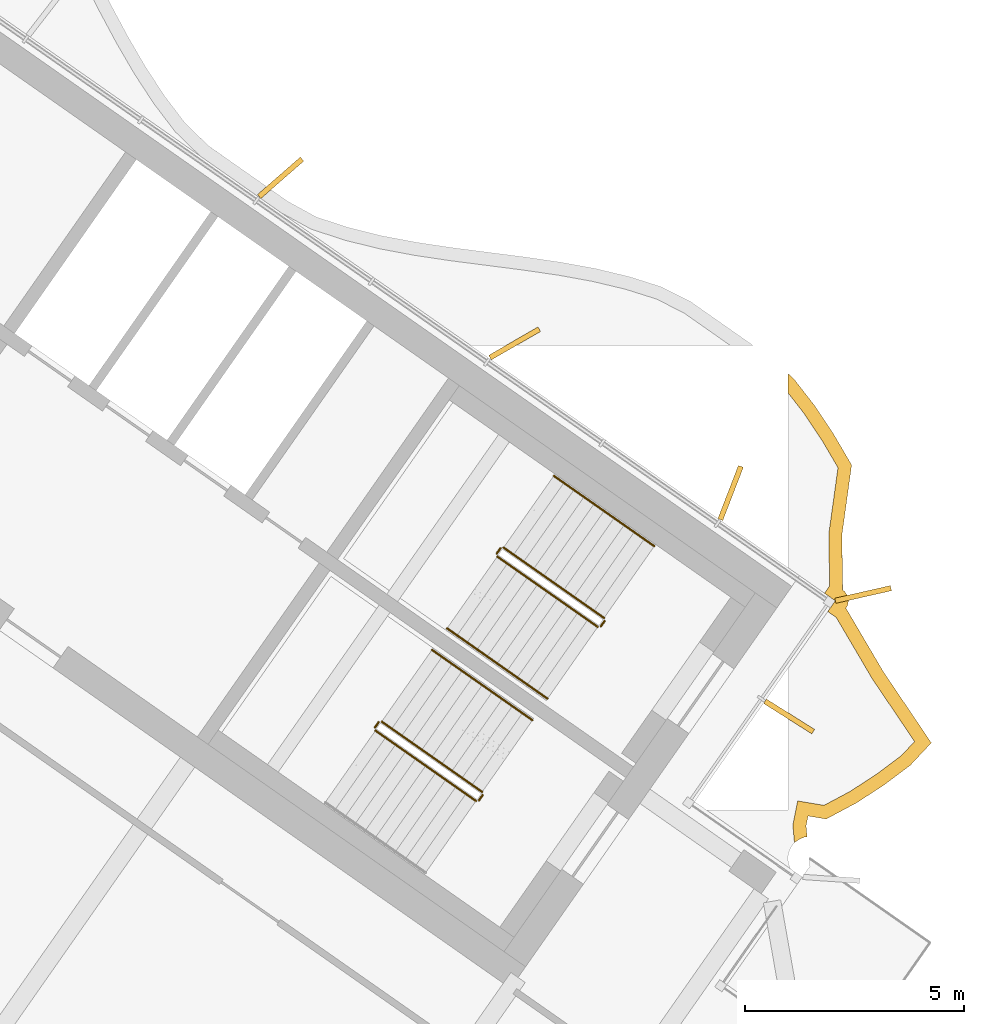
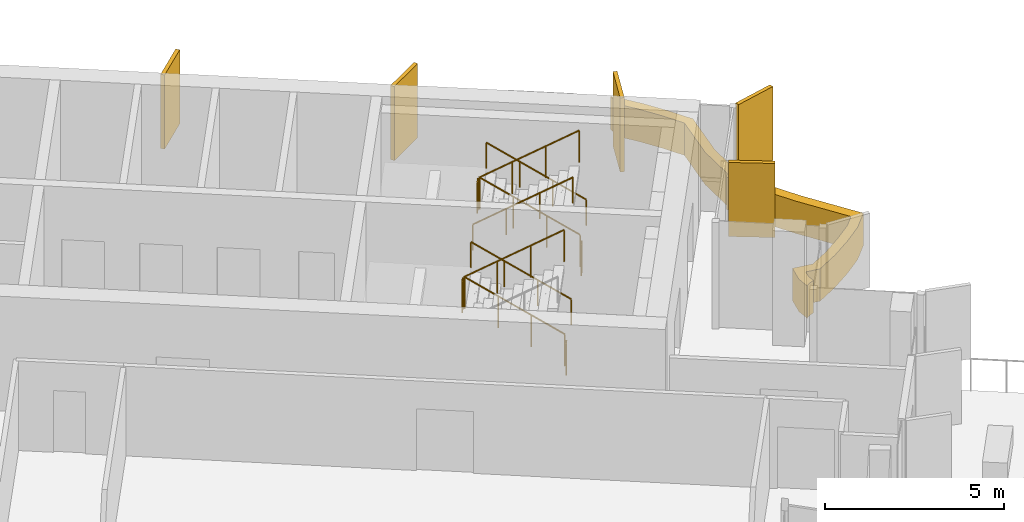
# One storey, part 16 of 18: 11 railings, 6 shading devices.
"""IFC4 building model written with IfcOpenShell, lengths in metres."""

from ifc_helpers import new_model, si_unit, direction, frame, origin, origin_2d, place, context, subcontext, project, spatial, polyline, rectangle, circle, outline, extrude, material, layer, layer_set, type_object, element, save


model = new_model("IFC4")

# Units and contexts
model_context = context("Model", 3, precision=1e-05, world=origin(), true_north=direction((0.0, 1.0)))
body_context = subcontext(model_context, "Body", "Model", "MODEL_VIEW")
ifc_project = project(units=[si_unit("LENGTHUNIT", "METRE"), si_unit("AREAUNIT", "SQUARE_METRE"), si_unit("VOLUMEUNIT", "CUBIC_METRE"), si_unit("PLANEANGLEUNIT", "RADIAN"), si_unit("MASSUNIT", "GRAM", prefix="KILO")], contexts=[model_context])

# Site, building, storey
site_placement = place(None, origin())
site = spatial("IfcSite", under=ifc_project, at=site_placement, CompositionType="ELEMENT")
building_placement = place(site_placement, origin())
building = spatial("IfcBuilding", under=site, at=building_placement, Name="Tel Ilan Convention Tower", CompositionType="ELEMENT")
storey_placement = place(building_placement, frame((0.0, 0.0, 272.199951171875)))
storey = spatial("IfcBuildingStorey", under=building, at=storey_placement, Name="L64", CompositionType="ELEMENT", Elevation=272.199951171875)

# Shading devices
ifc_material_1 = material(Name="Aluminium, bronze anodised", Category="aluminium")
ifc_layer_1 = layer(ifc_material_1, 0.1201171875)
ifc_layer_set_1 = layer_set([ifc_layer_1], Name="FIN BRONZE 1300x120")
shading_device_type_1 = type_object("IfcShadingDeviceType", Name="FIN BRONZE 1300x120", PredefinedType="USERDEFINED", material=ifc_layer_set_1)
for number, where, z_axis, x_axis, name in (
    (1, (27.904541015625, -10.1005859375, 1.10009765625), (0.0, 0.0, 1.0), (0.845986425922, -0.533204432798, 0.0), "FIN"),
    (2, (29.594970703125, -7.31494140625, 1.10009765625), (0.0, 0.0, 1.0), (0.975235208752, 0.221170268371, 0.0), "FIN"),
    (3, (26.568359375, -4.997802734375, 1.10009765625), (0.0, 0.0, 1.0), (0.360177724803, 0.932883704733, 0.0), "FIN"),
    (4, (21.63818359375, -1.58349609375, 1.10009765625), (0.0, 0.0, 1.0), (0.866025403784, 0.5, 0.0), "FIN"),
    (5, (16.29345703125, 2.196533203125, 1.10009765625), (0.0, 0.0, 1.0), (0.753435896329, 0.657521368568, 0.0), "FIN"),
):
    element("IfcShadingDevice", number, at=place(storey_placement, frame(where, z_axis=z_axis, x_axis=x_axis)), inside=storey, type_object=shading_device_type_1, Name=name, ObjectType="FIN", PredefinedType="USERDEFINED", context=body_context, shape_type="SweptSolid", body=[
        extrude(rectangle(XDim=1.300048828125, YDim=0.1201171875, at=origin_2d()), origin(), (0.0, 0.0, 1.0), 2.52001953125),
    ])
ifc_material_2 = material(Name="Aluminium, bronze anodised", Category="aluminium")
ifc_layer_2 = layer(ifc_material_2, 0.300048828125)
ifc_layer_set_2 = layer_set([ifc_layer_2], Name="LOUVRE BAND 300x1100")
shading_device_type_2 = type_object("IfcShadingDeviceType", Name="LOUVRE BAND 300x1100", PredefinedType="USERDEFINED", material=ifc_layer_set_2)
shading_device_placement = place(storey_placement, origin())
element("IfcShadingDevice", 6, at=shading_device_placement, inside=storey, type_object=shading_device_type_2, Name="LOUVRE BAND 49.01", ObjectType="LOUVRE", PredefinedType="USERDEFINED", context=body_context, shape_type="SweptSolid", body=[
    extrude(outline(polyline([(28.0107421875, -2.392822265625), (27.874755859375, -2.269287109375), (27.874755859375, -2.70654296875), (28.240234375, -3.176513671875), (28.66748046875, -3.818359375), (29.02001953125, -4.420654296875), (28.809326171875, -5.941162109375), (28.829345703125, -7.12109375), (28.713134765625, -7.286865234375), (28.958740234375, -7.458984375), (28.787353515625, -7.705322265625), (28.97900390625, -7.83935546875), (29.802734375, -9.2421875), (30.7685546875, -10.672607421875), (30.466552734375, -10.99462890625), (29.906005859375, -11.414794921875), (29.292236328125, -11.813720703125), (28.701171875, -12.12939453125), (28.099365234375, -12.0302734375), (27.989013671875, -12.579833984375), (28.026123046875, -12.986328125), (28.0712890625, -12.947265625), (28.15380859375, -12.894775390625), (28.2451171875, -12.859130859375), (28.314453125, -12.845458984375), (28.291748046875, -12.595947265625), (28.33642578125, -12.373291015625), (28.752685546875, -12.44189453125), (29.445068359375, -12.072265625), (30.077880859375, -11.660888671875), (30.66748046875, -11.218994140625), (31.151123046875, -10.703125), (30.056640625, -9.082275390625), (29.199951171875, -7.6279296875), (29.236083984375, -7.57373046875), (29.2587890625, -7.458984375), (29.236083984375, -7.34423828125), (29.1708984375, -7.246826171875), (29.127685546875, -7.218017578125), (29.10986328125, -5.95947265625), (29.331298828125, -4.35888671875), (28.922119140625, -3.659423828125), (28.48388671875, -3.001220703125), (28.0107421875, -2.392822265625)])), origin(), (0.0, 0.0, 1.0), 1.10009765625),
])

# Railings
ifc_material_3 = material(Name="Stainless Steel Grade 316", Category="steel")
railing_type_1 = type_object("IfcRailingType", Name="Stainless Steel Stair Guard 1100 mm", PredefinedType="GUARDRAIL", material=ifc_material_3)
railing_1_placement = place(storey_placement, frame((23.6787109375, -7.8515625, 0.17724609375)))
element("IfcRailing", 7, at=railing_1_placement, inside=storey, type_object=railing_type_1, Name="L64 S3 stair guard 1", PredefinedType="GUARDRAIL", context=body_context, shape_type="SweptSolid", body=[
    extrude(circle(Radius=0.02392578125, at=origin_2d()), frame((0.0, 0.0, 1.076171875), z_axis=(-0.692084706163, 0.484621375041, 0.534940073605), x_axis=(-0.573591086599, -0.819141785879, 0.0)), (0.0, 0.0, 1.0), 3.313720703125),
    extrude(circle(Radius=0.02099609375, at=origin_2d()), origin(), (0.0, 0.0, 1.0), 1.052001953125),
    extrude(circle(Radius=0.02099609375, at=origin_2d()), frame((-0.764404296875, 0.535400390625, 0.5908203125)), (0.0, 0.0, 1.0), 1.052001953125),
    extrude(circle(Radius=0.02099609375, at=origin_2d()), frame((-1.529052734375, 1.070556640625, 1.181884765625)), (0.0, 0.0, 1.0), 1.052001953125),
    extrude(circle(Radius=0.02099609375, at=origin_2d()), frame((-2.29345703125, 1.60595703125, 1.772705078125)), (0.0, 0.0, 1.0), 1.052001953125),
])
railing_2_placement = place(storey_placement, frame((21.3154296875, -6.2578125, 1.949951171875)))
element("IfcRailing", 8, at=railing_2_placement, inside=storey, type_object=railing_type_1, Name="L64 S3 stair guard 2", PredefinedType="GUARDRAIL", context=body_context, shape_type="SweptSolid", body=[
    extrude(circle(Radius=0.02392578125, at=origin_2d()), frame((0.0, 0.0, 1.076171875), z_axis=(-0.573353020881, -0.819308436089, 0.0), x_axis=(0.819308436089, -0.573353020881, 0.0)), (0.0, 0.0, 1.0), 0.14990234375),
    extrude(circle(Radius=0.02099609375, at=origin_2d()), origin(), (0.0, 0.0, 1.0), 1.052001953125),
    extrude(circle(Radius=0.02099609375, at=origin_2d()), frame((-0.0859375, -0.122802734375, 0.0)), (0.0, 0.0, 1.0), 1.052001953125),
])
railing_3_placement = place(storey_placement, frame((21.24169921875, -6.4501953125, 2.12744140625)))
element("IfcRailing", 9, at=railing_3_placement, inside=storey, type_object=railing_type_1, Name="L64 S3 stair guard 3", PredefinedType="GUARDRAIL", context=body_context, shape_type="SweptSolid", body=[
    extrude(circle(Radius=0.02392578125, at=origin_2d()), frame((0.0, 0.0, 1.076171875), z_axis=(0.692098378994, -0.484653031975, 0.534893701956), x_axis=(0.573608623498, 0.819129505664, 0.0)), (0.0, 0.0, 1.0), 3.314208984375),
    extrude(circle(Radius=0.02099609375, at=origin_2d()), origin(), (0.0, 0.0, 1.0), 1.052001953125),
    extrude(circle(Radius=0.02099609375, at=origin_2d()), frame((0.7646484375, -0.535400390625, 0.5908203125)), (0.0, 0.0, 1.0), 1.052001953125),
    extrude(circle(Radius=0.02099609375, at=origin_2d()), frame((1.529052734375, -1.07080078125, 1.181884765625)), (0.0, 0.0, 1.0), 1.052001953125),
    extrude(circle(Radius=0.02099609375, at=origin_2d()), frame((2.293701171875, -1.606201171875, 1.772705078125)), (0.0, 0.0, 1.0), 1.052001953125),
])
railing_4_placement = place(storey_placement, frame((23.691162109375, -7.921142578125, 0.0)))
element("IfcRailing", 10, at=railing_4_placement, inside=storey, type_object=railing_type_1, Name="L64 S3 stair guard 4", PredefinedType="GUARDRAIL", context=body_context, shape_type="SweptSolid", body=[
    extrude(circle(Radius=0.02392578125, at=origin_2d()), frame((0.0, 0.0, 1.076171875), z_axis=(-0.574444878118, -0.818543268254, 0.0), x_axis=(0.818543268254, -0.574444878118, 0.0)), (0.0, 0.0, 1.0), 0.150146484375),
    extrude(circle(Radius=0.02099609375, at=origin_2d()), origin(), (0.0, 0.0, 1.0), 1.052001953125),
    extrude(circle(Radius=0.02099609375, at=origin_2d()), frame((-0.086181640625, -0.122802734375, 0.0)), (0.0, 0.0, 1.0), 1.052001953125),
])
railing_5_placement = place(storey_placement, frame((20.89697265625, -11.824462890625, 0.17724609375)))
element("IfcRailing", 11, at=railing_5_placement, inside=storey, type_object=railing_type_1, Name="L64 S4 stair guard 1", PredefinedType="GUARDRAIL", context=body_context, shape_type="SweptSolid", body=[
    extrude(circle(Radius=0.02392578125, at=origin_2d()), frame((0.0, 0.0, 1.076171875), z_axis=(-0.692123088272, 0.484596665743, 0.534912798717), x_axis=(-0.573550118428, -0.819170471667, 0.0)), (0.0, 0.0, 1.0), 3.31396484375),
    extrude(circle(Radius=0.02099609375, at=origin_2d()), origin(), (0.0, 0.0, 1.0), 1.052001953125),
    extrude(circle(Radius=0.02099609375, at=origin_2d()), frame((-0.7646484375, 0.535400390625, 0.5908203125)), (0.0, 0.0, 1.0), 1.052001953125),
    extrude(circle(Radius=0.02099609375, at=origin_2d()), frame((-1.529052734375, 1.070556640625, 1.181884765625)), (0.0, 0.0, 1.0), 1.052001953125),
    extrude(circle(Radius=0.02099609375, at=origin_2d()), frame((-2.293701171875, 1.60595703125, 1.772705078125)), (0.0, 0.0, 1.0), 1.052001953125),
])
railing_6_placement = place(storey_placement, frame((18.53369140625, -10.230712890625, 1.949951171875)))
element("IfcRailing", 12, at=railing_6_placement, inside=storey, type_object=railing_type_1, Name="L64 S4 stair guard 2", PredefinedType="GUARDRAIL", context=body_context, shape_type="SweptSolid", body=[
    extrude(circle(Radius=0.02392578125, at=origin_2d()), frame((0.0, 0.0, 1.076171875), z_axis=(-0.573353020881, -0.819308436089, 0.0), x_axis=(0.819308436089, -0.573353020881, 0.0)), (0.0, 0.0, 1.0), 0.14990234375),
    extrude(circle(Radius=0.02099609375, at=origin_2d()), origin(), (0.0, 0.0, 1.0), 1.052001953125),
    extrude(circle(Radius=0.02099609375, at=origin_2d()), frame((-0.0859375, -0.122802734375, 0.0)), (0.0, 0.0, 1.0), 1.052001953125),
])
railing_7_placement = place(storey_placement, frame((18.4599609375, -10.423095703125, 2.12744140625)))
element("IfcRailing", 13, at=railing_7_placement, inside=storey, type_object=railing_type_1, Name="L64 S4 stair guard 3", PredefinedType="GUARDRAIL", context=body_context, shape_type="SweptSolid", body=[
    extrude(circle(Radius=0.02392578125, at=origin_2d()), frame((0.0, 0.0, 1.076171875), z_axis=(0.692098378994, -0.484653031975, 0.534893701956), x_axis=(0.573608623498, 0.819129505664, 0.0)), (0.0, 0.0, 1.0), 3.314208984375),
    extrude(circle(Radius=0.02099609375, at=origin_2d()), origin(), (0.0, 0.0, 1.0), 1.052001953125),
    extrude(circle(Radius=0.02099609375, at=origin_2d()), frame((0.7646484375, -0.535400390625, 0.5908203125)), (0.0, 0.0, 1.0), 1.052001953125),
    extrude(circle(Radius=0.02099609375, at=origin_2d()), frame((1.529052734375, -1.07080078125, 1.181884765625)), (0.0, 0.0, 1.0), 1.052001953125),
    extrude(circle(Radius=0.02099609375, at=origin_2d()), frame((2.293701171875, -1.606201171875, 1.772705078125)), (0.0, 0.0, 1.0), 1.052001953125),
])
railing_8_placement = place(storey_placement, frame((20.9091796875, -11.89404296875, 0.0)))
element("IfcRailing", 14, at=railing_8_placement, inside=storey, type_object=railing_type_1, Name="L64 S4 stair guard 4", PredefinedType="GUARDRAIL", context=body_context, shape_type="SweptSolid", body=[
    extrude(circle(Radius=0.02392578125, at=origin_2d()), frame((0.0, 0.0, 1.076171875), z_axis=(-0.573353020881, -0.819308436089, 0.0), x_axis=(0.819308436089, -0.573353020881, 0.0)), (0.0, 0.0, 1.0), 0.14990234375),
    extrude(circle(Radius=0.02099609375, at=origin_2d()), origin(), (0.0, 0.0, 1.0), 1.052001953125),
    extrude(circle(Radius=0.02099609375, at=origin_2d()), frame((-0.0859375, -0.122802734375, 0.0)), (0.0, 0.0, 1.0), 1.052001953125),
])
ifc_material_4 = material(Name="Stainless Steel Grade 316", Category="steel")
railing_type_2 = type_object("IfcRailingType", Name="Stainless Steel Stair Handrail 900 mm", PredefinedType="HANDRAIL", material=ifc_material_4)
railing_9_placement = place(storey_placement, frame((24.825927734375, -6.213134765625, 0.17724609375)))
element("IfcRailing", 15, at=railing_9_placement, inside=storey, type_object=railing_type_2, Name="L64 S3 stair handrail 1", PredefinedType="HANDRAIL", context=body_context, shape_type="SweptSolid", body=[
    extrude(circle(Radius=0.02392578125, at=origin_2d()), frame((0.0, 0.0, 0.8759765625), z_axis=(-0.692123088272, 0.484596665743, 0.534912798717), x_axis=(-0.573550118428, -0.819170471667, 0.0)), (0.0, 0.0, 1.0), 3.31396484375),
    extrude(circle(Radius=0.02099609375, at=origin_2d()), origin(), (0.0, 0.0, 1.0), 0.851806640625),
    extrude(circle(Radius=0.02099609375, at=origin_2d()), frame((-0.7646484375, 0.535400390625, 0.5908203125)), (0.0, 0.0, 1.0), 0.851806640625),
    extrude(circle(Radius=0.02099609375, at=origin_2d()), frame((-1.529052734375, 1.070556640625, 1.181884765625)), (0.0, 0.0, 1.0), 0.851806640625),
    extrude(circle(Radius=0.02099609375, at=origin_2d()), frame((-2.293701171875, 1.60595703125, 1.772705078125)), (0.0, 0.0, 1.0), 0.851806640625),
])
railing_10_placement = place(storey_placement, frame((20.0947265625, -8.088623046875, 2.12744140625)))
element("IfcRailing", 16, at=railing_10_placement, inside=storey, type_object=railing_type_2, Name="L64 S3 stair handrail 2", PredefinedType="HANDRAIL", context=body_context, shape_type="SweptSolid", body=[
    extrude(circle(Radius=0.02392578125, at=origin_2d()), frame((0.0, 0.0, 0.8759765625), z_axis=(0.692084706163, -0.484621375041, 0.534940073605), x_axis=(0.573591086599, 0.819141785879, 0.0)), (0.0, 0.0, 1.0), 3.313720703125),
    extrude(circle(Radius=0.02099609375, at=origin_2d()), origin(), (0.0, 0.0, 1.0), 0.851806640625),
    extrude(circle(Radius=0.02099609375, at=origin_2d()), frame((0.764404296875, -0.535400390625, 0.5908203125)), (0.0, 0.0, 1.0), 0.851806640625),
    extrude(circle(Radius=0.02099609375, at=origin_2d()), frame((1.529052734375, -1.070556640625, 1.181884765625)), (0.0, 0.0, 1.0), 0.851806640625),
    extrude(circle(Radius=0.02099609375, at=origin_2d()), frame((2.29345703125, -1.60595703125, 1.772705078125)), (0.0, 0.0, 1.0), 0.851806640625),
])
railing_11_placement = place(storey_placement, frame((22.044189453125, -10.18603515625, 0.17724609375)))
element("IfcRailing", 17, at=railing_11_placement, inside=storey, type_object=railing_type_2, Name="L64 S4 stair handrail 1", PredefinedType="HANDRAIL", context=body_context, shape_type="SweptSolid", body=[
    extrude(circle(Radius=0.02392578125, at=origin_2d()), frame((0.0, 0.0, 0.8759765625), z_axis=(-0.692123088272, 0.484596665743, 0.534912798717), x_axis=(-0.573550118428, -0.819170471667, 0.0)), (0.0, 0.0, 1.0), 3.31396484375),
    extrude(circle(Radius=0.02099609375, at=origin_2d()), origin(), (0.0, 0.0, 1.0), 0.851806640625),
    extrude(circle(Radius=0.02099609375, at=origin_2d()), frame((-0.7646484375, 0.535400390625, 0.5908203125)), (0.0, 0.0, 1.0), 0.851806640625),
    extrude(circle(Radius=0.02099609375, at=origin_2d()), frame((-1.529052734375, 1.070556640625, 1.181884765625)), (0.0, 0.0, 1.0), 0.851806640625),
    extrude(circle(Radius=0.02099609375, at=origin_2d()), frame((-2.293701171875, 1.60595703125, 1.772705078125)), (0.0, 0.0, 1.0), 0.851806640625),
])

save(model, "model.ifc")
